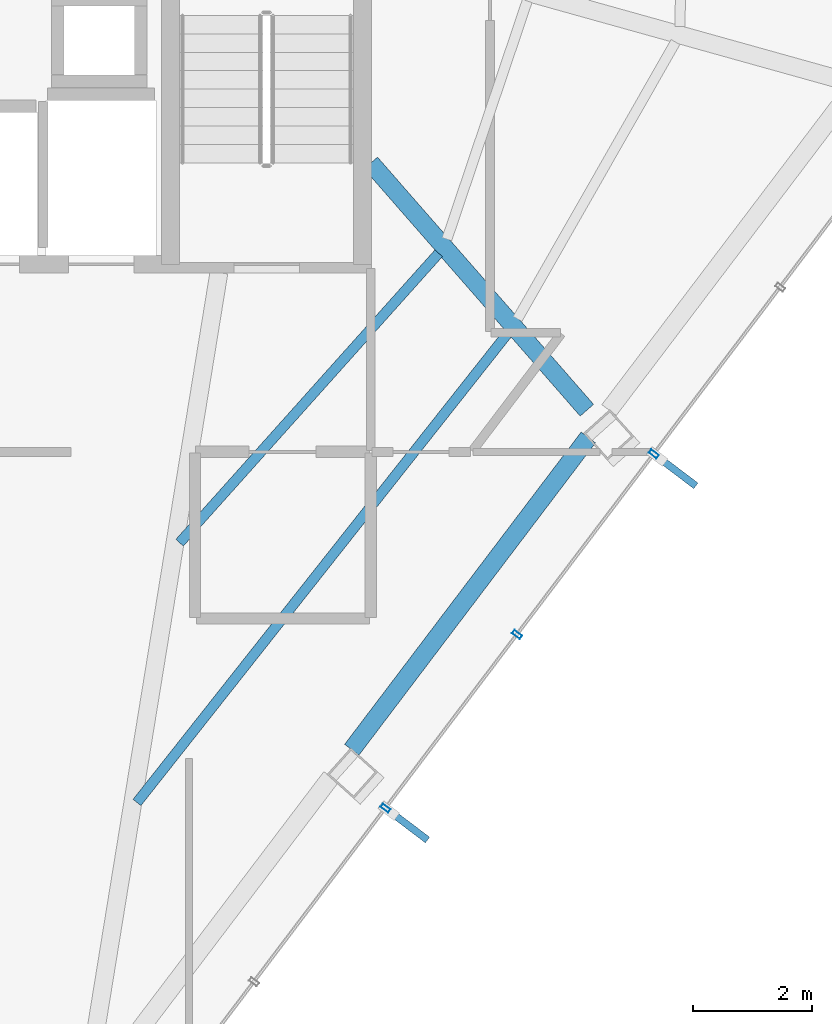
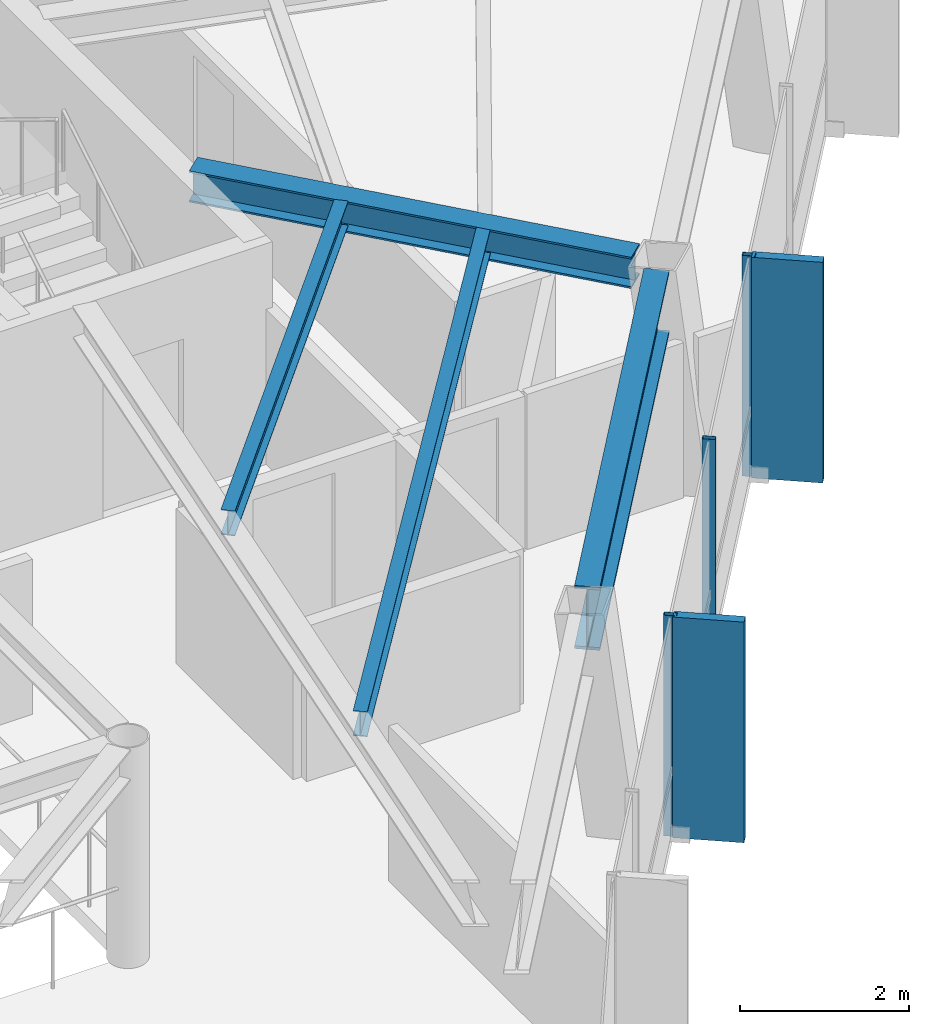
# One storey, part 17 of 27: 5 members, 4 beams, 1 element without a shape of its own.
"""IFC4 building model written with IfcOpenShell, lengths in metres."""

from ifc_helpers import new_model, si_unit, direction, frame, origin, origin_2d, place, context, subcontext, project, spatial, rectangle, hollow_rectangle, i_section, extrude, material, layer, layer_set, material_profile, profile_set, type_object, element, aggregate, save


model = new_model("IFC4")

# Units and contexts
model_context = context("Model", 3, precision=1e-05, world=origin(), true_north=direction((0.0, 1.0)))
body_context = subcontext(model_context, "Body", "Model", "MODEL_VIEW")
ifc_project = project(units=[si_unit("LENGTHUNIT", "METRE"), si_unit("AREAUNIT", "SQUARE_METRE"), si_unit("VOLUMEUNIT", "CUBIC_METRE"), si_unit("PLANEANGLEUNIT", "RADIAN"), si_unit("MASSUNIT", "GRAM", prefix="KILO")], contexts=[model_context])

# Site, building, storey
site_placement = place(None, origin())
site = spatial("IfcSite", under=ifc_project, at=site_placement, CompositionType="ELEMENT")
building_placement = place(site_placement, origin())
building = spatial("IfcBuilding", under=site, at=building_placement, Name="Zarrinselat Tower", CompositionType="ELEMENT")
storey_placement = place(building_placement, frame((0.0, 0.0, 235.9599609375)))
storey = spatial("IfcBuildingStorey", under=building, at=storey_placement, Name="L59", CompositionType="ELEMENT", Elevation=235.9599609375)

# Beams
ifc_material_1 = material(Name="Steel S355J2", Category="steel")
ifc_material_profile_1 = material_profile(ifc_material_1, i_section(OverallWidth=0.300048828125, OverallDepth=0.449951171875, WebThickness=0.013916015625, FlangeThickness=0.02587890625, at=origin_2d()), Name="HEB 450")
ifc_profile_set_1 = profile_set([ifc_material_profile_1], Name="Steel S355J2")
beam_type_1 = type_object("IfcBeamType", Name="BM-HEB450", PredefinedType="BEAM", material=ifc_profile_set_1)
beam_1_placement = place(storey_placement, frame((48.35009765625, 35.0, 2.955078125), z_axis=(0.658234979936, -0.752812533894, 0.0), x_axis=(0.752812533894, 0.658234979936, 0.0)))
element("IfcBeam", 1, at=beam_1_placement, inside=storey, type_object=beam_type_1, Name="L59 Radial Primary Girder RG13", PredefinedType="BEAM", context=body_context, shape_type="SweptSolid", body=[
    extrude(i_section(OverallWidth=0.300048828125, OverallDepth=0.449951171875, WebThickness=0.013916015625, FlangeThickness=0.02587890625, at=origin_2d()), origin(), (0.0, 0.0, 1.0), 5.513916015625),
])
ifc_material_2 = material(Name="Steel S460M", Category="steel")
ifc_material_profile_2 = material_profile(ifc_material_2, i_section(OverallWidth=0.302001953125, OverallDepth=0.909912109375, WebThickness=0.02099609375, FlangeThickness=0.0400390625, at=origin_2d()), Name="HEM 900")
ifc_profile_set_2 = profile_set([ifc_material_profile_2], Name="Steel S460M")
beam_type_2 = type_object("IfcBeamType", Name="BM-HEM900", PredefinedType="BEAM", material=ifc_profile_set_2)
beam_2_placement = place(storey_placement, frame((48.03076171875, 25.146728515625, 2.72509765625), z_axis=(0.603845544807, 0.797101347394, 0.0), x_axis=(-0.797101347394, 0.603845544807, 0.0)))
element("IfcBeam", 2, at=beam_2_placement, inside=storey, type_object=beam_type_2, Name="L59 Perimeter Spandrel Girder SP12", PredefinedType="BEAM", context=body_context, shape_type="SweptSolid", body=[
    extrude(i_section(OverallWidth=0.302001953125, OverallDepth=0.909912109375, WebThickness=0.02099609375, FlangeThickness=0.0400390625, at=origin_2d()), origin(), (0.0, 0.0, 1.0), 6.58056640625),
])
ifc_material_3 = material(Name="Steel S355J2", Category="steel")
ifc_material_profile_3 = material_profile(ifc_material_3, i_section(OverallWidth=0.169921875, OverallDepth=0.360107421875, WebThickness=0.008056640625, FlangeThickness=0.0126953125, at=origin_2d()), Name="IPE 360")
ifc_profile_set_3 = profile_set([ifc_material_profile_3], Name="Steel S355J2")
beam_type_3 = type_object("IfcBeamType", Name="BM-IPE360", PredefinedType="JOIST", material=ifc_profile_set_3)
beam_3_placement = place(storey_placement, frame((44.424072265625, 24.261474609375, 3.0), z_axis=(0.620044127495, 0.784566937845, 0.0), x_axis=(-0.784566937845, 0.620044127495, 0.0)))
element("IfcBeam", 3, at=beam_3_placement, inside=storey, type_object=beam_type_3, Name="L59 Composite Floor Joist 3-1", PredefinedType="JOIST", context=body_context, shape_type="SweptSolid", body=[
    extrude(i_section(OverallWidth=0.169921875, OverallDepth=0.360107421875, WebThickness=0.008056640625, FlangeThickness=0.0126953125, at=origin_2d()), origin(), (0.0, 0.0, 1.0), 10.05517578125),
])
beam_4_placement = place(storey_placement, frame((45.139892578125, 28.62353515625, 3.0), z_axis=(0.666935965388, 0.745115036804, 0.0), x_axis=(-0.745115036804, 0.666935965388, 0.0)))
element("IfcBeam", 4, at=beam_4_placement, inside=storey, type_object=beam_type_3, Name="L59 Composite Floor Joist 3-2", PredefinedType="JOIST", context=body_context, shape_type="SweptSolid", body=[
    extrude(i_section(OverallWidth=0.169921875, OverallDepth=0.360107421875, WebThickness=0.008056640625, FlangeThickness=0.0126953125, at=origin_2d()), origin(), (0.0, 0.0, 1.0), 6.523681640625),
])

# Curtain wall, members
ifc_material_4 = material(Name="Extruded Aluminium Alloy EN AW-6063 T6", Category="aluminium")
ifc_layer = layer(ifc_material_4, 0.169921875)
ifc_layer_set = layer_set([ifc_layer], Name="Extruded Aluminium Alloy EN AW-6063 T6")
curtain_wall_type = type_object("IfcCurtainWallType", Name="CWS-RES", PredefinedType="NOTDEFINED", material=ifc_layer_set)
curtain_wall_placement = place(storey_placement, origin())
curtain_wall = element("IfcCurtainWall", 5, at=curtain_wall_placement, inside=storey, type_object=curtain_wall_type, Name="L59 Unitised Curtain Wall CW-L59-E05", PredefinedType="NOTDEFINED")
ifc_material_5 = material(Name="Extruded Aluminium Alloy EN AW-6063 T6", Category="aluminium")
ifc_material_profile_4 = material_profile(ifc_material_5, hollow_rectangle(XDim=0.070068359375, YDim=0.159912109375, WallThickness=0.00390625, at=origin_2d()), Name="RHS 160x70x4")
ifc_profile_set_4 = profile_set([ifc_material_profile_4], Name="Extruded Aluminium Alloy EN AW-6063 T6")
member_type_1 = type_object("IfcMemberType", Name="MEM-CW-MUL2", PredefinedType="MULLION", material=ifc_profile_set_4)
member_1_placement = place(storey_placement, frame((48.597900390625, 24.165771484375, 0.0), z_axis=(0.0, 0.0, 1.0), x_axis=(0.603858872188, 0.797091251037, 0.0)))
member_1 = element("IfcMember", 6, at=member_1_placement, type_object=member_type_1, Name="CW-L59-E05 Mullion 3", PredefinedType="MULLION", context=body_context, shape_type="SweptSolid", body=[
    extrude(hollow_rectangle(XDim=0.070068359375, YDim=0.159912109375, WallThickness=0.00390625, at=origin_2d()), origin(), (0.0, 0.0, 1.0), 3.179931640625),
])
member_2_placement = place(storey_placement, frame((50.806884765625, 27.081787109375, 0.0), z_axis=(0.0, 0.0, 1.0), x_axis=(0.603858872188, 0.797091251037, 0.0)))
member_2 = element("IfcMember", 7, at=member_2_placement, type_object=member_type_1, Name="CW-L59-E05 Mullion 4", PredefinedType="MULLION", context=body_context, shape_type="SweptSolid", body=[
    extrude(hollow_rectangle(XDim=0.070068359375, YDim=0.159912109375, WallThickness=0.00390625, at=origin_2d()), origin(), (0.0, 0.0, 1.0), 3.179931640625),
])
member_3_placement = place(storey_placement, frame((53.10400390625, 30.11376953125, 0.0), z_axis=(0.0, 0.0, 1.0), x_axis=(0.603858872188, 0.797091251037, 0.0)))
member_3 = element("IfcMember", 8, at=member_3_placement, type_object=member_type_1, Name="CW-L59-E05 Mullion 5", PredefinedType="MULLION", context=body_context, shape_type="SweptSolid", body=[
    extrude(hollow_rectangle(XDim=0.070068359375, YDim=0.159912109375, WallThickness=0.00390625, at=origin_2d()), origin(), (0.0, 0.0, 1.0), 3.179931640625),
])
ifc_material_6 = material(Name="Honed Cream Travertine Stone", Category="masonry")
ifc_material_profile_5 = material_profile(ifc_material_6, rectangle(XDim=0.1201171875, YDim=0.85009765625, at=origin_2d()), Name="FIN 850x120")
ifc_profile_set_5 = profile_set([ifc_material_profile_5], Name="Honed Cream Travertine Stone")
member_type_2 = type_object("IfcMemberType", Name="MEM-STONE-FIN", PredefinedType="USERDEFINED", material=ifc_profile_set_5)
member_4_placement = place(storey_placement, frame((48.964599609375, 23.887939453125, 0.0), z_axis=(0.0, 0.0, 1.0), x_axis=(-0.603858872188, -0.797091251037, 0.0)))
member_4 = element("IfcMember", 9, at=member_4_placement, type_object=member_type_2, Name="L59 Stone Shading Fin CW-L59-E05-03", ObjectType="FIN", PredefinedType="USERDEFINED", context=body_context, shape_type="SweptSolid", body=[
    extrude(rectangle(XDim=0.1201171875, YDim=0.85009765625, at=origin_2d()), origin(), (0.0, 0.0, 1.0), 3.179931640625),
])
member_5_placement = place(storey_placement, frame((53.470703125, 29.8359375, 0.0), z_axis=(0.0, 0.0, 1.0), x_axis=(-0.603858872188, -0.797091251037, 0.0)))
member_5 = element("IfcMember", 10, at=member_5_placement, type_object=member_type_2, Name="L59 Stone Shading Fin CW-L59-E05-05", ObjectType="FIN", PredefinedType="USERDEFINED", context=body_context, shape_type="SweptSolid", body=[
    extrude(rectangle(XDim=0.1201171875, YDim=0.85009765625, at=origin_2d()), origin(), (0.0, 0.0, 1.0), 3.179931640625),
])
aggregate(curtain_wall, [member_1, member_4, member_2, member_3, member_5])

save(model, "model.ifc")
